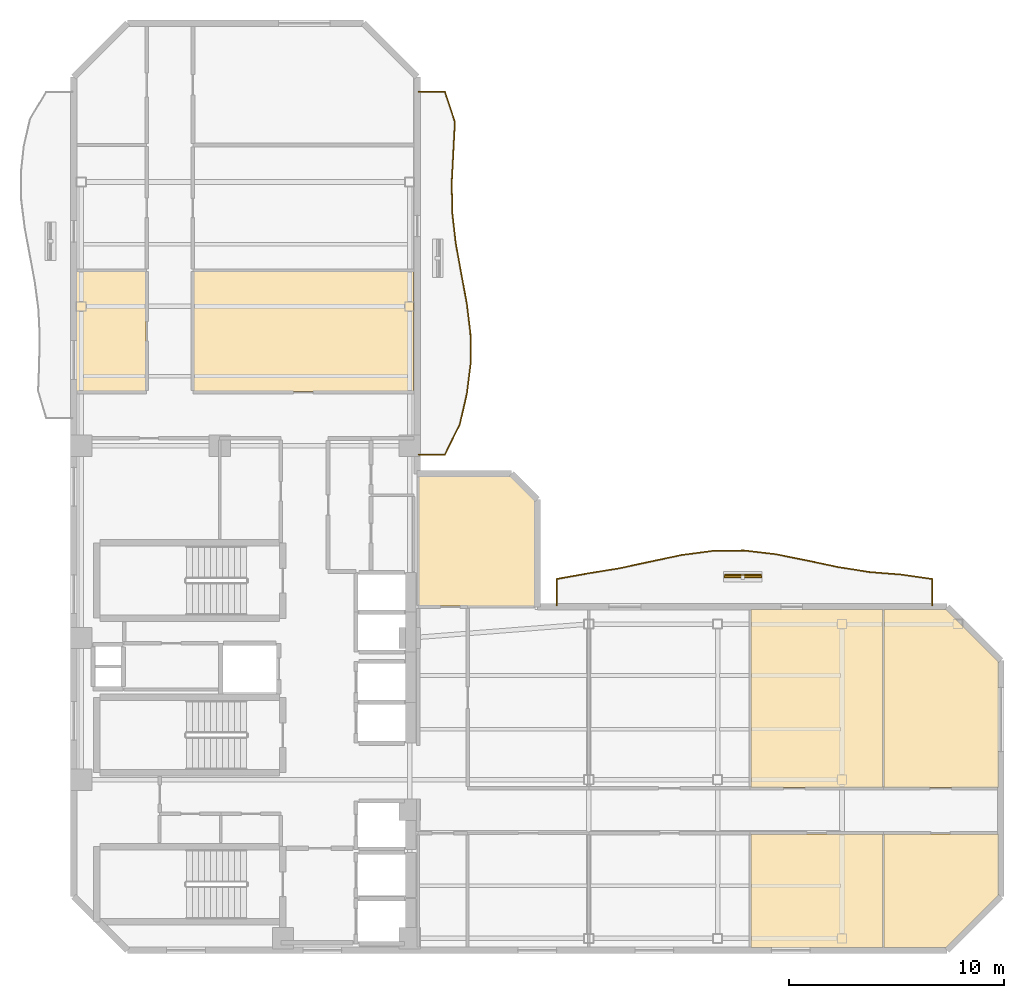
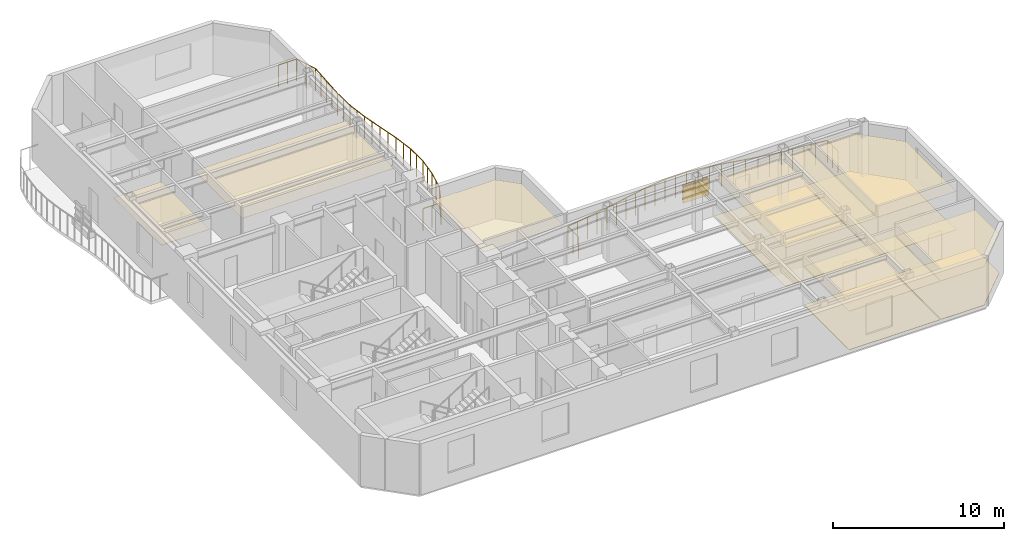
# One storey, part 8 of 9: 11 coverings, 4 shading devices, 2 railings.
"""IFC4 building model written with IfcOpenShell, lengths in metres."""

from ifc_helpers import new_model, si_unit, direction, frame, origin, origin_2d, place, context, subcontext, project, spatial, polyline, rectangle, outline, extrude, material, layer, layer_set, material_profile, profile_set, type_object, element, save


model = new_model("IFC4")

# Units and contexts
model_context = context("Model", 3, precision=1e-05, world=origin(), true_north=direction((0.0, 1.0)))
body_context = subcontext(model_context, "Body", "Model", "MODEL_VIEW")
ifc_project = project(units=[si_unit("LENGTHUNIT", "METRE"), si_unit("AREAUNIT", "SQUARE_METRE"), si_unit("VOLUMEUNIT", "CUBIC_METRE"), si_unit("PLANEANGLEUNIT", "RADIAN"), si_unit("MASSUNIT", "GRAM", prefix="KILO")], contexts=[model_context])

# Site, building, storey
site_placement = place(None, origin())
site = spatial("IfcSite", under=ifc_project, at=site_placement, CompositionType="ELEMENT")
building_placement = place(site_placement, origin())
building = spatial("IfcBuilding", under=site, at=building_placement, Name="Mawjaban Terraces University", CompositionType="ELEMENT")
storey_placement = place(building_placement, frame((0.0, 0.0, 234.300048828125)))
storey = spatial("IfcBuildingStorey", under=building, at=storey_placement, Name="L57", CompositionType="ELEMENT", Elevation=234.300048828125)

# Coverings
ifc_material_1 = material(Name="Acoustic mineral fibre ceiling tile", Category="masonry")
ifc_layer_1 = layer(ifc_material_1, 0.02001953125)
ifc_layer_set_1 = layer_set([ifc_layer_1], Name="Acoustic mineral fibre ceiling tile")
covering_type_1 = type_object("IfcCoveringType", Name="AcousticMineralCeiling_20", PredefinedType="CEILING", material=ifc_layer_set_1)
covering_1_placement = place(storey_placement, frame((0.0, 0.0, 2.75)))
element("IfcCovering", 1, at=covering_1_placement, inside=storey, type_object=covering_type_1, Name="L57 Conference Room 6 Acoustic Ceiling", PredefinedType="CEILING", context=body_context, shape_type="SweptSolid", body=[
    extrude(outline(polyline([(53.550048828125, 0.114990234375), (59.702880859375, 0.114990234375), (59.702880859375, 5.419921875), (53.550048828125, 5.419921875), (53.550048828125, 0.114990234375)])), origin(), (0.0, 0.0, 1.0), 0.02001953125),
])
covering_2_placement = place(storey_placement, frame((0.0, 0.0, 2.75)))
element("IfcCovering", 2, at=covering_2_placement, inside=storey, type_object=covering_type_1, Name="L57 Classroom 7 Acoustic Ceiling", PredefinedType="CEILING", context=body_context, shape_type="SweptSolid", body=[
    extrude(outline(polyline([(59.702880859375, 15.885009765625), (53.550048828125, 15.885009765625), (53.550048828125, 7.580078125), (59.702880859375, 7.580078125), (59.702880859375, 15.885009765625)])), origin(), (0.0, 0.0, 1.0), 0.02001953125),
])
covering_3_placement = place(storey_placement, frame((0.0, 0.0, 2.75)))
element("IfcCovering", 3, at=covering_3_placement, inside=storey, type_object=covering_type_1, Name="L57 Seminar Room 8 Acoustic Ceiling", PredefinedType="CEILING", context=body_context, shape_type="SweptSolid", body=[
    extrude(outline(polyline([(59.762939453125, 0.114990234375), (62.653076171875, 0.114990234375), (65.0849609375, 2.547119140625), (65.0849609375, 5.419921875), (59.762939453125, 5.419921875), (59.762939453125, 0.114990234375)])), origin(), (0.0, 0.0, 1.0), 0.02001953125),
])
covering_4_placement = place(storey_placement, frame((0.0, 0.0, 2.75)))
element("IfcCovering", 4, at=covering_4_placement, inside=storey, type_object=covering_type_1, Name="L57 Tutorial Room 9 Acoustic Ceiling", PredefinedType="CEILING", context=body_context, shape_type="SweptSolid", body=[
    extrude(outline(polyline([(65.0849609375, 7.580078125), (65.0849609375, 13.452880859375), (62.653076171875, 15.885009765625), (59.762939453125, 15.885009765625), (59.762939453125, 7.580078125), (65.0849609375, 7.580078125)])), origin(), (0.0, 0.0, 1.0), 0.02001953125),
])
covering_5_placement = place(storey_placement, frame((0.0, 0.0, 2.75)))
element("IfcCovering", 5, at=covering_5_placement, inside=storey, type_object=covering_type_1, Name="L57 Student Tea Pantry 10 Acoustic Ceiling", PredefinedType="CEILING", context=body_context, shape_type="SweptSolid", body=[
    extrude(outline(polyline([(22.114990234375, 31.64599609375), (22.114990234375, 26.030029296875), (25.3701171875, 26.030029296875), (25.3701171875, 31.64599609375), (22.114990234375, 31.64599609375)])), origin(), (0.0, 0.0, 1.0), 0.02001953125),
])
covering_6_placement = place(storey_placement, frame((0.0, 0.0, 2.75)))
element("IfcCovering", 6, at=covering_6_placement, inside=storey, type_object=covering_type_1, Name="L57 Student Tea Pantry 11 Acoustic Ceiling", PredefinedType="CEILING", context=body_context, shape_type="SweptSolid", body=[
    extrude(outline(polyline([(37.820068359375, 26.030029296875), (37.820068359375, 31.64599609375), (27.580078125, 31.64599609375), (27.580078125, 26.030029296875), (37.820068359375, 26.030029296875)])), origin(), (0.0, 0.0, 1.0), 0.02001953125),
])
covering_7_placement = place(storey_placement, frame((0.0, 0.0, 2.75)))
element("IfcCovering", 7, at=covering_7_placement, inside=storey, type_object=covering_type_1, Name="L57 Terrace Collaborative Study Room Acoustic Ceiling", PredefinedType="CEILING", context=body_context, shape_type="SweptSolid", body=[
    extrude(outline(polyline([(43.485107421875, 16.030029296875), (43.485107421875, 20.952880859375), (42.35302734375, 22.0849609375), (38.080078125, 22.0849609375), (38.080078125, 16.030029296875), (43.485107421875, 16.030029296875)])), origin(), (0.0, 0.0, 1.0), 0.02001953125),
])

# Railings
ifc_material_2 = material(Name="Galvanised powder-coated steel S355", Category="steel")
railing_type = type_object("IfcRailingType", Name="BalconyBalustrade_1600", PredefinedType="BALUSTRADE", material=ifc_material_2)
railing_1_placement = place(storey_placement, frame((44.5, 16.080078125, 0.0)))
element("IfcRailing", 8, at=railing_1_placement, inside=storey, type_object=railing_type, Name="L57 Balcony Guardrail inner_north", PredefinedType="BALUSTRADE", context=body_context, shape_type="SweptSolid", body=[
    extrude(rectangle(XDim=0.048095703125, YDim=0.048095703125, at=origin_2d()), frame((0.0, 0.0, 1.576171875), z_axis=(0.0, 1.0, 0.0), x_axis=(-1.0, 0.0, 0.0)), (0.0, 0.0, 1.0), 1.219970703125),
    extrude(rectangle(XDim=0.048095703125, YDim=0.048095703125, at=origin_2d()), frame((0.0, 1.219970703125, 1.576171875), z_axis=(0.984354142278, 0.176201369406, 0.0), x_axis=(-0.176201369406, 0.984354142278, 0.0)), (0.0, 0.0, 1.0), 1.481201171875),
    extrude(rectangle(XDim=0.048095703125, YDim=0.048095703125, at=origin_2d()), frame((1.4580078125, 1.48095703125, 1.576171875), z_axis=(0.987055349452, 0.160379977296, 0.0), x_axis=(-0.160379977296, 0.987055349452, 0.0)), (0.0, 0.0, 1.0), 1.47802734375),
    extrude(rectangle(XDim=0.048095703125, YDim=0.048095703125, at=origin_2d()), frame((2.9169921875, 1.718017578125, 1.576171875), z_axis=(0.977456178018, 0.211138390764, 0.0), x_axis=(-0.211138390764, 0.977456178018, 0.0)), (0.0, 0.0, 1.0), 1.49169921875),
    extrude(rectangle(XDim=0.048095703125, YDim=0.048095703125, at=origin_2d()), frame((4.375, 2.032958984375, 1.576171875), z_axis=(0.978558476834, 0.205969190452, 0.0), x_axis=(-0.205969190452, 0.978558476834, 0.0)), (0.0, 0.0, 1.0), 1.489990234375),
    extrude(rectangle(XDim=0.048095703125, YDim=0.048095703125, at=origin_2d()), frame((5.8330078125, 2.33984375, 1.576171875), z_axis=(0.991266971821, 0.131870355187, 0.0), x_axis=(-0.131870355187, 0.991266971821, 0.0)), (0.0, 0.0, 1.0), 1.471923828125),
    extrude(rectangle(XDim=0.048095703125, YDim=0.048095703125, at=origin_2d()), frame((7.2919921875, 2.533935546875, 1.576171875), z_axis=(0.999954453979, 0.009544106476, 0.0), x_axis=(-0.009544106476, 0.999954453979, 0.0)), (0.0, 0.0, 1.0), 1.4580078125),
    extrude(rectangle(XDim=0.048095703125, YDim=0.048095703125, at=origin_2d()), frame((8.75, 2.5478515625, 1.576171875), z_axis=(0.993200463188, -0.116416665143, 0.0), x_axis=(0.116416665143, 0.993200463188, 0.0)), (0.0, 0.0, 1.0), 1.468017578125),
    extrude(rectangle(XDim=0.048095703125, YDim=0.048095703125, at=origin_2d()), frame((10.2080078125, 2.376953125, 1.576171875), z_axis=(0.980555424147, -0.196242350616, 0.0), x_axis=(0.196242350616, 0.980555424147, 0.0)), (0.0, 0.0, 1.0), 1.488037109375),
    extrude(rectangle(XDim=0.048095703125, YDim=0.048095703125, at=origin_2d()), frame((11.6669921875, 2.0849609375, 1.576171875), z_axis=(0.978260315042, -0.207380703088, 0.0), x_axis=(0.207380703088, 0.978260315042, 0.0)), (0.0, 0.0, 1.0), 1.490478515625),
    extrude(rectangle(XDim=0.048095703125, YDim=0.048095703125, at=origin_2d()), frame((13.125, 1.77587890625, 1.576171875), z_axis=(0.987685066399, -0.156455136104, 0.0), x_axis=(0.156455136104, 0.987685066399, 0.0)), (0.0, 0.0, 1.0), 1.47607421875),
    extrude(rectangle(XDim=0.048095703125, YDim=0.048095703125, at=origin_2d()), frame((14.5830078125, 1.544921875, 1.576171875), z_axis=(0.996908472947, -0.078571601532, 0.0), x_axis=(0.078571601532, 0.996908472947, 0.0)), (0.0, 0.0, 1.0), 1.463623046875),
    extrude(rectangle(XDim=0.048095703125, YDim=0.048095703125, at=origin_2d()), frame((16.0419921875, 1.429931640625, 1.576171875), z_axis=(0.989789758262, -0.142535028819, 0.0), x_axis=(0.142535028819, 0.989789758262, 0.0)), (0.0, 0.0, 1.0), 1.47314453125),
    extrude(rectangle(XDim=0.048095703125, YDim=0.048095703125, at=origin_2d()), frame((17.5, 1.219970703125, 1.576171875), z_axis=(0.0, -1.0, 0.0), x_axis=(1.0, 0.0, 0.0)), (0.0, 0.0, 1.0), 1.219970703125),
    extrude(rectangle(XDim=0.0419921875, YDim=0.0419921875, at=origin_2d()), origin(), (0.0, 0.0, 1.0), 1.552001953125),
    extrude(rectangle(XDim=0.0419921875, YDim=0.0419921875, at=origin_2d()), frame((0.0, 0.60986328125, 0.0)), (0.0, 0.0, 1.0), 1.552001953125),
    extrude(rectangle(XDim=0.0419921875, YDim=0.0419921875, at=origin_2d()), frame((0.0, 1.219970703125, 0.0)), (0.0, 0.0, 1.0), 1.552001953125),
    extrude(rectangle(XDim=0.0419921875, YDim=0.0419921875, at=origin_2d()), frame((0.72900390625, 1.3505859375, 0.0)), (0.0, 0.0, 1.0), 1.552001953125),
    extrude(rectangle(XDim=0.0419921875, YDim=0.0419921875, at=origin_2d()), frame((1.4580078125, 1.48095703125, 0.0)), (0.0, 0.0, 1.0), 1.552001953125),
    extrude(rectangle(XDim=0.0419921875, YDim=0.0419921875, at=origin_2d()), frame((2.1875, 1.599609375, 0.0)), (0.0, 0.0, 1.0), 1.552001953125),
    extrude(rectangle(XDim=0.0419921875, YDim=0.0419921875, at=origin_2d()), frame((2.9169921875, 1.718017578125, 0.0)), (0.0, 0.0, 1.0), 1.552001953125),
    extrude(rectangle(XDim=0.0419921875, YDim=0.0419921875, at=origin_2d()), frame((3.64599609375, 1.87548828125, 0.0)), (0.0, 0.0, 1.0), 1.552001953125),
    extrude(rectangle(XDim=0.0419921875, YDim=0.0419921875, at=origin_2d()), frame((4.375, 2.032958984375, 0.0)), (0.0, 0.0, 1.0), 1.552001953125),
    extrude(rectangle(XDim=0.0419921875, YDim=0.0419921875, at=origin_2d()), frame((5.10400390625, 2.1865234375, 0.0)), (0.0, 0.0, 1.0), 1.552001953125),
    extrude(rectangle(XDim=0.0419921875, YDim=0.0419921875, at=origin_2d()), frame((5.8330078125, 2.33984375, 0.0)), (0.0, 0.0, 1.0), 1.552001953125),
    extrude(rectangle(XDim=0.0419921875, YDim=0.0419921875, at=origin_2d()), frame((6.5625, 2.43701171875, 0.0)), (0.0, 0.0, 1.0), 1.552001953125),
    extrude(rectangle(XDim=0.0419921875, YDim=0.0419921875, at=origin_2d()), frame((7.2919921875, 2.533935546875, 0.0)), (0.0, 0.0, 1.0), 1.552001953125),
    extrude(rectangle(XDim=0.0419921875, YDim=0.0419921875, at=origin_2d()), frame((8.02099609375, 2.541015625, 0.0)), (0.0, 0.0, 1.0), 1.552001953125),
    extrude(rectangle(XDim=0.0419921875, YDim=0.0419921875, at=origin_2d()), frame((8.75, 2.5478515625, 0.0)), (0.0, 0.0, 1.0), 1.552001953125),
    extrude(rectangle(XDim=0.0419921875, YDim=0.0419921875, at=origin_2d()), frame((9.47900390625, 2.46240234375, 0.0)), (0.0, 0.0, 1.0), 1.552001953125),
    extrude(rectangle(XDim=0.0419921875, YDim=0.0419921875, at=origin_2d()), frame((10.2080078125, 2.376953125, 0.0)), (0.0, 0.0, 1.0), 1.552001953125),
    extrude(rectangle(XDim=0.0419921875, YDim=0.0419921875, at=origin_2d()), frame((10.9375, 2.23095703125, 0.0)), (0.0, 0.0, 1.0), 1.552001953125),
    extrude(rectangle(XDim=0.0419921875, YDim=0.0419921875, at=origin_2d()), frame((11.6669921875, 2.0849609375, 0.0)), (0.0, 0.0, 1.0), 1.552001953125),
    extrude(rectangle(XDim=0.0419921875, YDim=0.0419921875, at=origin_2d()), frame((12.39599609375, 1.930419921875, 0.0)), (0.0, 0.0, 1.0), 1.552001953125),
    extrude(rectangle(XDim=0.0419921875, YDim=0.0419921875, at=origin_2d()), frame((13.125, 1.77587890625, 0.0)), (0.0, 0.0, 1.0), 1.552001953125),
    extrude(rectangle(XDim=0.0419921875, YDim=0.0419921875, at=origin_2d()), frame((13.85400390625, 1.660400390625, 0.0)), (0.0, 0.0, 1.0), 1.552001953125),
    extrude(rectangle(XDim=0.0419921875, YDim=0.0419921875, at=origin_2d()), frame((14.5830078125, 1.544921875, 0.0)), (0.0, 0.0, 1.0), 1.552001953125),
    extrude(rectangle(XDim=0.0419921875, YDim=0.0419921875, at=origin_2d()), frame((15.3125, 1.4873046875, 0.0)), (0.0, 0.0, 1.0), 1.552001953125),
    extrude(rectangle(XDim=0.0419921875, YDim=0.0419921875, at=origin_2d()), frame((16.0419921875, 1.429931640625, 0.0)), (0.0, 0.0, 1.0), 1.552001953125),
    extrude(rectangle(XDim=0.0419921875, YDim=0.0419921875, at=origin_2d()), frame((16.77099609375, 1.324951171875, 0.0)), (0.0, 0.0, 1.0), 1.552001953125),
    extrude(rectangle(XDim=0.0419921875, YDim=0.0419921875, at=origin_2d()), frame((17.5, 1.219970703125, 0.0)), (0.0, 0.0, 1.0), 1.552001953125),
    extrude(rectangle(XDim=0.0419921875, YDim=0.0419921875, at=origin_2d()), frame((17.5, 0.60986328125, 0.0)), (0.0, 0.0, 1.0), 1.552001953125),
    extrude(rectangle(XDim=0.0419921875, YDim=0.0419921875, at=origin_2d()), frame((17.5, 0.0, 0.0)), (0.0, 0.0, 1.0), 1.552001953125),
])
railing_2_placement = place(storey_placement, frame((38.080078125, 23.10009765625, 0.0)))
element("IfcRailing", 9, at=railing_2_placement, inside=storey, type_object=railing_type, Name="L57 Balcony Guardrail inner_east", PredefinedType="BALUSTRADE", context=body_context, shape_type="SweptSolid", body=[
    extrude(rectangle(XDim=0.048095703125, YDim=0.048095703125, at=origin_2d()), frame((0.0, 0.0, 1.576171875), z_axis=(1.0, 0.0, 0.0), x_axis=(0.0, 1.0, 0.0)), (0.0, 0.0, 1.0), 1.219970703125),
    extrude(rectangle(XDim=0.048095703125, YDim=0.048095703125, at=origin_2d()), frame((1.219970703125, 0.0, 1.576171875), z_axis=(0.440538625065, 0.89773365751, 0.0), x_axis=(-0.89773365751, 0.440538625065, 0.0)), (0.0, 0.0, 1.0), 1.568359375),
    extrude(rectangle(XDim=0.048095703125, YDim=0.048095703125, at=origin_2d()), frame((1.910888671875, 1.407958984375, 1.576171875), z_axis=(0.225377322092, 0.9742715549, 0.0), x_axis=(-0.9742715549, 0.225377322092, 0.0)), (0.0, 0.0, 1.0), 1.446044921875),
    extrude(rectangle(XDim=0.048095703125, YDim=0.048095703125, at=origin_2d()), frame((2.23681640625, 2.81689453125, 1.576171875), z_axis=(0.124733475986, 0.992190284153, 0.0), x_axis=(-0.992190284153, 0.124733475986, 0.0)), (0.0, 0.0, 1.0), 1.4189453125),
    extrude(rectangle(XDim=0.048095703125, YDim=0.048095703125, at=origin_2d()), frame((2.413818359375, 4.224853515625, 1.576171875), z_axis=(-0.004161573119, 0.999991340617, 0.0), x_axis=(-0.999991340617, -0.004161573119, 0.0)), (0.0, 0.0, 1.0), 1.407958984375),
    extrude(rectangle(XDim=0.048095703125, YDim=0.048095703125, at=origin_2d()), frame((2.407958984375, 5.6328125, 1.576171875), z_axis=(-0.120562495358, 0.992705739237, 0.0), x_axis=(-0.992705739237, -0.120562495358, 0.0)), (0.0, 0.0, 1.0), 1.41943359375),
    extrude(rectangle(XDim=0.048095703125, YDim=0.048095703125, at=origin_2d()), frame((2.23681640625, 7.0419921875, 1.576171875), z_axis=(-0.182919411854, 0.983127910684, 0.0), x_axis=(-0.983127910684, -0.182919411854, 0.0)), (0.0, 0.0, 1.0), 1.43212890625),
    extrude(rectangle(XDim=0.048095703125, YDim=0.048095703125, at=origin_2d()), frame((1.974853515625, 8.449951171875, 1.576171875), z_axis=(-0.178134627155, 0.98400612529, 0.0), x_axis=(-0.98400612529, -0.178134627155, 0.0)), (0.0, 0.0, 1.0), 1.430908203125),
    extrude(rectangle(XDim=0.048095703125, YDim=0.048095703125, at=origin_2d()), frame((1.719970703125, 9.85791015625, 1.576171875), z_axis=(-0.112094456586, 0.993697556001, 0.0), x_axis=(-0.993697556001, -0.112094456586, 0.0)), (0.0, 0.0, 1.0), 1.41796875),
    extrude(rectangle(XDim=0.048095703125, YDim=0.048095703125, at=origin_2d()), frame((1.56103515625, 11.266845703125, 1.576171875), z_axis=(-0.018550648109, 0.999827921922, 0.0), x_axis=(-0.999827921922, -0.018550648109, 0.0)), (0.0, 0.0, 1.0), 1.408203125),
    extrude(rectangle(XDim=0.048095703125, YDim=0.048095703125, at=origin_2d()), frame((1.534912109375, 12.6748046875, 1.576171875), z_axis=(0.05314945849, 0.998586568637, 0.0), x_axis=(-0.998586568637, 0.05314945849, 0.0)), (0.0, 0.0, 1.0), 1.41015625),
    extrude(rectangle(XDim=0.048095703125, YDim=0.048095703125, at=origin_2d()), frame((1.60986328125, 14.0830078125, 1.576171875), z_axis=(0.051741378412, 0.998660517774, 0.0), x_axis=(-0.998660517774, 0.051741378412, 0.0)), (0.0, 0.0, 1.0), 1.410888671875),
    extrude(rectangle(XDim=0.048095703125, YDim=0.048095703125, at=origin_2d()), frame((1.682861328125, 15.491943359375, 1.576171875), z_axis=(-0.312321074942, 0.949976602947, 0.0), x_axis=(-0.949976602947, -0.312321074942, 0.0)), (0.0, 0.0, 1.0), 1.482177734375),
    extrude(rectangle(XDim=0.048095703125, YDim=0.048095703125, at=origin_2d()), frame((1.219970703125, 16.89990234375, 1.576171875), z_axis=(-1.0, 0.0, 0.0), x_axis=(0.0, -1.0, 0.0)), (0.0, 0.0, 1.0), 1.219970703125),
    extrude(rectangle(XDim=0.0419921875, YDim=0.0419921875, at=origin_2d()), origin(), (0.0, 0.0, 1.0), 1.552001953125),
    extrude(rectangle(XDim=0.0419921875, YDim=0.0419921875, at=origin_2d()), frame((0.60986328125, 0.0, 0.0)), (0.0, 0.0, 1.0), 1.552001953125),
    extrude(rectangle(XDim=0.0419921875, YDim=0.0419921875, at=origin_2d()), frame((1.219970703125, 0.0, 0.0)), (0.0, 0.0, 1.0), 1.552001953125),
    extrude(rectangle(XDim=0.0419921875, YDim=0.0419921875, at=origin_2d()), frame((1.5654296875, 0.7041015625, 0.0)), (0.0, 0.0, 1.0), 1.552001953125),
    extrude(rectangle(XDim=0.0419921875, YDim=0.0419921875, at=origin_2d()), frame((1.910888671875, 1.407958984375, 0.0)), (0.0, 0.0, 1.0), 1.552001953125),
    extrude(rectangle(XDim=0.0419921875, YDim=0.0419921875, at=origin_2d()), frame((2.07373046875, 2.1123046875, 0.0)), (0.0, 0.0, 1.0), 1.552001953125),
    extrude(rectangle(XDim=0.0419921875, YDim=0.0419921875, at=origin_2d()), frame((2.23681640625, 2.81689453125, 0.0)), (0.0, 0.0, 1.0), 1.552001953125),
    extrude(rectangle(XDim=0.0419921875, YDim=0.0419921875, at=origin_2d()), frame((2.3251953125, 3.52099609375, 0.0)), (0.0, 0.0, 1.0), 1.552001953125),
    extrude(rectangle(XDim=0.0419921875, YDim=0.0419921875, at=origin_2d()), frame((2.413818359375, 4.224853515625, 0.0)), (0.0, 0.0, 1.0), 1.552001953125),
    extrude(rectangle(XDim=0.0419921875, YDim=0.0419921875, at=origin_2d()), frame((2.410888671875, 4.9287109375, 0.0)), (0.0, 0.0, 1.0), 1.552001953125),
    extrude(rectangle(XDim=0.0419921875, YDim=0.0419921875, at=origin_2d()), frame((2.407958984375, 5.6328125, 0.0)), (0.0, 0.0, 1.0), 1.552001953125),
    extrude(rectangle(XDim=0.0419921875, YDim=0.0419921875, at=origin_2d()), frame((2.322265625, 6.33740234375, 0.0)), (0.0, 0.0, 1.0), 1.552001953125),
    extrude(rectangle(XDim=0.0419921875, YDim=0.0419921875, at=origin_2d()), frame((2.23681640625, 7.0419921875, 0.0)), (0.0, 0.0, 1.0), 1.552001953125),
    extrude(rectangle(XDim=0.0419921875, YDim=0.0419921875, at=origin_2d()), frame((2.10595703125, 7.74609375, 0.0)), (0.0, 0.0, 1.0), 1.552001953125),
    extrude(rectangle(XDim=0.0419921875, YDim=0.0419921875, at=origin_2d()), frame((1.974853515625, 8.449951171875, 0.0)), (0.0, 0.0, 1.0), 1.552001953125),
    extrude(rectangle(XDim=0.0419921875, YDim=0.0419921875, at=origin_2d()), frame((1.847412109375, 9.15380859375, 0.0)), (0.0, 0.0, 1.0), 1.552001953125),
    extrude(rectangle(XDim=0.0419921875, YDim=0.0419921875, at=origin_2d()), frame((1.719970703125, 9.85791015625, 0.0)), (0.0, 0.0, 1.0), 1.552001953125),
    extrude(rectangle(XDim=0.0419921875, YDim=0.0419921875, at=origin_2d()), frame((1.640625, 10.5625, 0.0)), (0.0, 0.0, 1.0), 1.552001953125),
    extrude(rectangle(XDim=0.0419921875, YDim=0.0419921875, at=origin_2d()), frame((1.56103515625, 11.266845703125, 0.0)), (0.0, 0.0, 1.0), 1.552001953125),
    extrude(rectangle(XDim=0.0419921875, YDim=0.0419921875, at=origin_2d()), frame((1.5478515625, 11.970703125, 0.0)), (0.0, 0.0, 1.0), 1.552001953125),
    extrude(rectangle(XDim=0.0419921875, YDim=0.0419921875, at=origin_2d()), frame((1.534912109375, 12.6748046875, 0.0)), (0.0, 0.0, 1.0), 1.552001953125),
    extrude(rectangle(XDim=0.0419921875, YDim=0.0419921875, at=origin_2d()), frame((1.572265625, 13.37890625, 0.0)), (0.0, 0.0, 1.0), 1.552001953125),
    extrude(rectangle(XDim=0.0419921875, YDim=0.0419921875, at=origin_2d()), frame((1.60986328125, 14.0830078125, 0.0)), (0.0, 0.0, 1.0), 1.552001953125),
    extrude(rectangle(XDim=0.0419921875, YDim=0.0419921875, at=origin_2d()), frame((1.646484375, 14.78759765625, 0.0)), (0.0, 0.0, 1.0), 1.552001953125),
    extrude(rectangle(XDim=0.0419921875, YDim=0.0419921875, at=origin_2d()), frame((1.682861328125, 15.491943359375, 0.0)), (0.0, 0.0, 1.0), 1.552001953125),
    extrude(rectangle(XDim=0.0419921875, YDim=0.0419921875, at=origin_2d()), frame((1.451416015625, 16.19580078125, 0.0)), (0.0, 0.0, 1.0), 1.552001953125),
    extrude(rectangle(XDim=0.0419921875, YDim=0.0419921875, at=origin_2d()), frame((1.219970703125, 16.89990234375, 0.0)), (0.0, 0.0, 1.0), 1.552001953125),
    extrude(rectangle(XDim=0.0419921875, YDim=0.0419921875, at=origin_2d()), frame((0.60986328125, 16.89990234375, 0.0)), (0.0, 0.0, 1.0), 1.552001953125),
    extrude(rectangle(XDim=0.0419921875, YDim=0.0419921875, at=origin_2d()), frame((0.0, 16.89990234375, 0.0)), (0.0, 0.0, 1.0), 1.552001953125),
])

# Shading devices
ifc_material_3 = material(Name="Glazed architectural terracotta ceramic", Category="masonry")
ifc_material_profile = material_profile(ifc_material_3, rectangle(XDim=0.06494140625, YDim=0.110107421875, at=origin_2d()), Name="TBAG110X65")
ifc_profile_set = profile_set([ifc_material_profile], Name="Glazed architectural terracotta ceramic")
shading_device_type_1 = type_object("IfcShadingDeviceType", Name="TerracottaBaguette_110x65", PredefinedType="USERDEFINED", material=ifc_profile_set)
for number, where, z_axis, x_axis, name in (
    (10, (52.3291015625, 17.489990234375, 0.679931640625), (1.0, 0.0, 0.0), (0.0, 1.0, 0.0), "L57 Horizontal Terracotta Baguette inner_north.1"),
    (11, (52.3291015625, 17.489990234375, 1.14990234375), (1.0, 0.0, 0.0), (0.0, 1.0, 0.0), "L57 Horizontal Terracotta Baguette inner_north.2"),
    (12, (52.3291015625, 17.489990234375, 1.619873046875), (1.0, 0.0, 0.0), (0.0, 1.0, 0.0), "L57 Horizontal Terracotta Baguette inner_north.3"),
):
    element("IfcShadingDevice", number, at=place(storey_placement, frame(where, z_axis=z_axis, x_axis=x_axis)), inside=storey, type_object=shading_device_type_1, Name=name, ObjectType="BAGUETTE", PredefinedType="USERDEFINED", context=body_context, shape_type="SweptSolid", body=[
        extrude(rectangle(XDim=0.06494140625, YDim=0.110107421875, at=origin_2d()), origin(), (0.0, 0.0, 1.0), 1.699951171875),
    ])
ifc_layer_2 = layer(ifc_material_3, 0.080078125)
ifc_layer_set_2 = layer_set([ifc_layer_2], Name="Glazed architectural terracotta ceramic")
shading_device_type_2 = type_object("IfcShadingDeviceType", Name="TerracottaScreen_Perforated", PredefinedType="USERDEFINED", material=ifc_layer_set_2)
shading_device_placement = place(storey_placement, frame((53.178955078125, 17.405029296875, 0.43994140625), z_axis=(0.0, 0.0, 1.0), x_axis=(1.0, 0.0, 0.0)))
element("IfcShadingDevice", 13, at=shading_device_placement, inside=storey, type_object=shading_device_type_2, Name="L57 Balcony Perforated Terracotta Screen inner_north", ObjectType="SCREEN", PredefinedType="USERDEFINED", context=body_context, shape_type="SweptSolid", body=[
    extrude(rectangle(XDim=1.75, YDim=0.080078125, at=origin_2d()), origin(), (0.0, 0.0, 1.0), 1.14990234375),
])

# Coverings
ifc_material_4 = material(Name="Polished Hijazi granite terrazzo flooring", Category="masonry")
ifc_layer_3 = layer(ifc_material_4, 0.02490234375)
ifc_layer_set_3 = layer_set([ifc_layer_3], Name="Polished Hijazi granite terrazzo flooring")
covering_type_2 = type_object("IfcCoveringType", Name="TerrazzoConcourseFlooring_25", PredefinedType="FLOORING", material=ifc_layer_set_3)
covering_8_placement = place(storey_placement, origin())
element("IfcCovering", 14, at=covering_8_placement, inside=storey, type_object=covering_type_2, Name="L57 Conference Room 6 Terrazzo Flooring", PredefinedType="FLOORING", context=body_context, shape_type="SweptSolid", body=[
    extrude(outline(polyline([(53.550048828125, 0.114990234375), (59.702880859375, 0.114990234375), (59.702880859375, 5.419921875), (53.550048828125, 5.419921875), (53.550048828125, 0.114990234375)])), origin(), (0.0, 0.0, 1.0), 0.02490234375),
])
covering_9_placement = place(storey_placement, origin())
element("IfcCovering", 15, at=covering_9_placement, inside=storey, type_object=covering_type_2, Name="L57 Classroom 7 Terrazzo Flooring", PredefinedType="FLOORING", context=body_context, shape_type="SweptSolid", body=[
    extrude(outline(polyline([(59.702880859375, 15.885009765625), (53.550048828125, 15.885009765625), (53.550048828125, 7.580078125), (59.702880859375, 7.580078125), (59.702880859375, 15.885009765625)])), origin(), (0.0, 0.0, 1.0), 0.02490234375),
])
covering_10_placement = place(storey_placement, origin())
element("IfcCovering", 16, at=covering_10_placement, inside=storey, type_object=covering_type_2, Name="L57 Seminar Room 8 Terrazzo Flooring", PredefinedType="FLOORING", context=body_context, shape_type="SweptSolid", body=[
    extrude(outline(polyline([(59.762939453125, 0.114990234375), (62.653076171875, 0.114990234375), (65.0849609375, 2.547119140625), (65.0849609375, 5.419921875), (59.762939453125, 5.419921875), (59.762939453125, 0.114990234375)])), origin(), (0.0, 0.0, 1.0), 0.02490234375),
])
covering_11_placement = place(storey_placement, origin())
element("IfcCovering", 17, at=covering_11_placement, inside=storey, type_object=covering_type_2, Name="L57 Tutorial Room 9 Terrazzo Flooring", PredefinedType="FLOORING", context=body_context, shape_type="SweptSolid", body=[
    extrude(outline(polyline([(65.0849609375, 7.580078125), (65.0849609375, 13.452880859375), (62.653076171875, 15.885009765625), (59.762939453125, 15.885009765625), (59.762939453125, 7.580078125), (65.0849609375, 7.580078125)])), origin(), (0.0, 0.0, 1.0), 0.02490234375),
])

save(model, "model.ifc")
